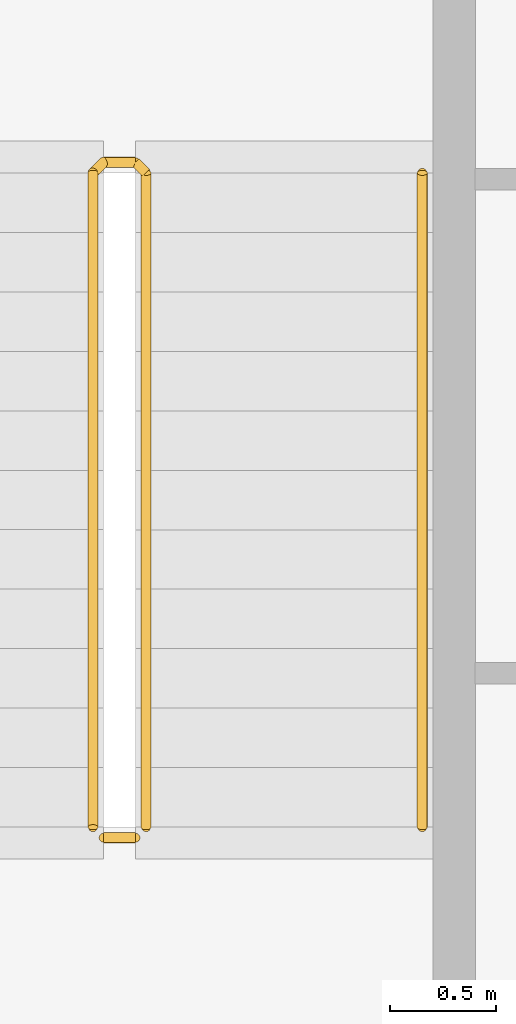
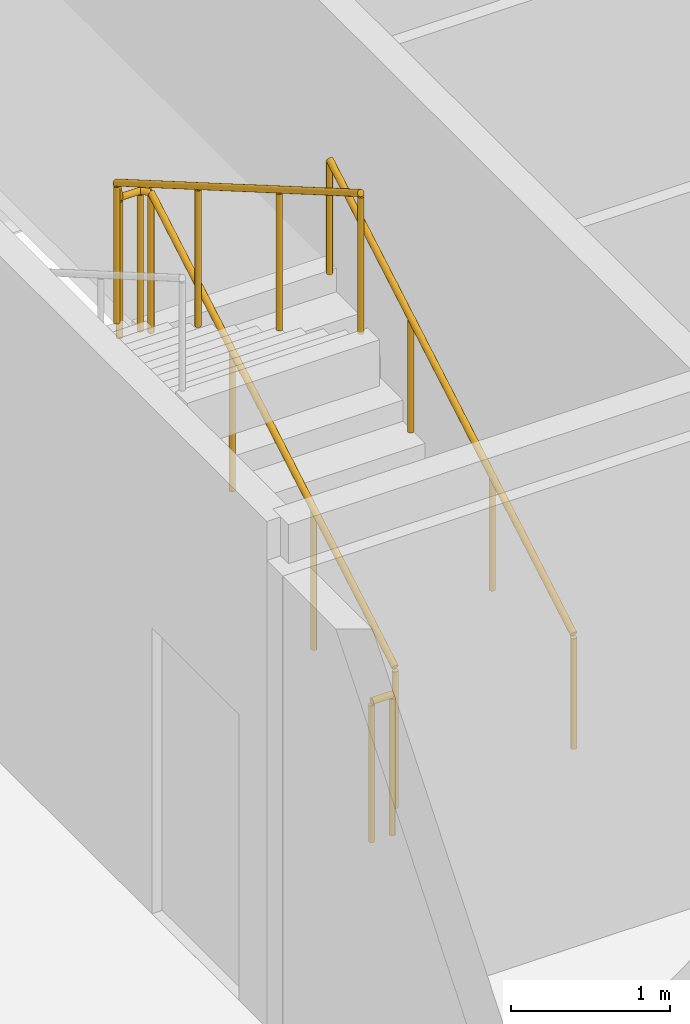
# One storey, part 27 of 28: 3 railings.
"""IFC4 building model written with IfcOpenShell, lengths in metres."""

from ifc_helpers import new_model, si_unit, direction, frame, origin, origin_2d, place, context, subcontext, project, spatial, circle, extrude, material, type_object, element, save


model = new_model("IFC4")

# Units and contexts
model_context = context("Model", 3, precision=1e-05, world=origin(), true_north=direction((0.0, 1.0)))
body_context = subcontext(model_context, "Body", "Model", "MODEL_VIEW")
ifc_project = project(units=[si_unit("LENGTHUNIT", "METRE"), si_unit("AREAUNIT", "SQUARE_METRE"), si_unit("VOLUMEUNIT", "CUBIC_METRE"), si_unit("PLANEANGLEUNIT", "RADIAN"), si_unit("MASSUNIT", "GRAM", prefix="KILO")], contexts=[model_context])

# Site, building, storey
site_placement = place(None, origin())
site = spatial("IfcSite", under=ifc_project, at=site_placement, CompositionType="ELEMENT")
building_placement = place(site_placement, origin())
building = spatial("IfcBuilding", under=site, at=building_placement, Name="Kheshtan School and Residences Tower", CompositionType="ELEMENT")
storey_placement = place(building_placement, frame((0.0, 0.0, 77.300048828125)))
storey = spatial("IfcBuildingStorey", under=building, at=storey_placement, Name="L18", CompositionType="ELEMENT", Elevation=77.300048828125)

# Railings
ifc_material_1 = material(Name="Stainless steel balustrade", Category="steel")
railing_type_1 = type_object("IfcRailingType", Name="Stair guard 1100", PredefinedType="GUARDRAIL", material=ifc_material_1)
railing_1_placement = place(storey_placement, frame((35.0, 80.89990234375, 0.162353515625)))
element("IfcRailing", 1, at=railing_1_placement, inside=storey, type_object=railing_type_1, Name="L18 ST3 stair guard 1", PredefinedType="GUARDRAIL", context=body_context, shape_type="SweptSolid", body=[
    extrude(circle(Radius=0.02392578125, at=origin_2d()), frame((0.0, 0.0, 1.076171875), z_axis=(0.0, 0.864890721111, 0.501960198159), x_axis=(-1.0, 0.0, 0.0)), (0.0, 0.0, 1.0), 3.561279296875),
    extrude(circle(Radius=0.02392578125, at=origin_2d()), frame((0.0, 3.080078125, 2.86376953125), z_axis=(-0.707106781187, 0.707106781187, 0.0), x_axis=(-0.707106781187, -0.707106781187, 0.0)), (0.0, 0.0, 1.0), 0.07080078125),
    extrude(circle(Radius=0.02392578125, at=origin_2d()), frame((-0.050048828125, 3.130126953125, 2.86376953125), z_axis=(-1.0, 0.0, 0.0), x_axis=(0.0, -1.0, 0.0)), (0.0, 0.0, 1.0), 0.14990234375),
    extrude(circle(Radius=0.02392578125, at=origin_2d()), frame((-0.199951171875, 3.130126953125, 2.86376953125), z_axis=(-0.282227285176, -0.282227285176, 0.916894497205), x_axis=(0.707106781187, -0.707106781187, 0.0)), (0.0, 0.0, 1.0), 0.17724609375),
    extrude(circle(Radius=0.02392578125, at=origin_2d()), frame((-0.25, 3.080078125, 3.0263671875), z_axis=(0.0, -0.864920483161, 0.501908913857), x_axis=(1.0, 0.0, 0.0)), (0.0, 0.0, 1.0), 3.56103515625),
    extrude(circle(Radius=0.02099609375, at=origin_2d()), origin(), (0.0, 0.0, 1.0), 1.052001953125),
    extrude(circle(Radius=0.02099609375, at=origin_2d()), frame((0.0, 1.026611328125, 0.595947265625)), (0.0, 0.0, 1.0), 1.052001953125),
    extrude(circle(Radius=0.02099609375, at=origin_2d()), frame((0.0, 2.053466796875, 1.191650390625)), (0.0, 0.0, 1.0), 1.052001953125),
    extrude(circle(Radius=0.02099609375, at=origin_2d()), frame((0.0, 3.080078125, 1.78759765625)), (0.0, 0.0, 1.0), 1.052001953125),
    extrude(circle(Radius=0.02099609375, at=origin_2d()), frame((-0.050048828125, 3.130126953125, 1.78759765625)), (0.0, 0.0, 1.0), 1.052001953125),
    extrude(circle(Radius=0.02099609375, at=origin_2d()), frame((-0.199951171875, 3.130126953125, 1.78759765625)), (0.0, 0.0, 1.0), 1.052001953125),
    extrude(circle(Radius=0.02099609375, at=origin_2d()), frame((-0.25, 3.080078125, 1.9501953125)), (0.0, 0.0, 1.0), 1.052001953125),
    extrude(circle(Radius=0.02099609375, at=origin_2d()), frame((-0.25, 2.053466796875, 2.5458984375)), (0.0, 0.0, 1.0), 1.052001953125),
    extrude(circle(Radius=0.02099609375, at=origin_2d()), frame((-0.25, 1.026611328125, 3.141845703125)), (0.0, 0.0, 1.0), 1.052001953125),
    extrude(circle(Radius=0.02099609375, at=origin_2d()), frame((-0.25, 0.0, 3.737548828125)), (0.0, 0.0, 1.0), 1.052001953125),
])
railing_2_placement = place(storey_placement, frame((34.949951171875, 80.85009765625, 0.0)))
element("IfcRailing", 2, at=railing_2_placement, inside=storey, type_object=railing_type_1, Name="L18 ST3 stair guard 2", PredefinedType="GUARDRAIL", context=body_context, shape_type="SweptSolid", body=[
    extrude(circle(Radius=0.02392578125, at=origin_2d()), frame((0.0, 0.0, 1.076171875), z_axis=(-1.0, 0.0, 0.0), x_axis=(0.0, -1.0, 0.0)), (0.0, 0.0, 1.0), 0.14990234375),
    extrude(circle(Radius=0.02099609375, at=origin_2d()), origin(), (0.0, 0.0, 1.0), 1.052001953125),
    extrude(circle(Radius=0.02099609375, at=origin_2d()), frame((-0.14990234375, 0.0, 0.0)), (0.0, 0.0, 1.0), 1.052001953125),
])
ifc_material_2 = material(Name="Stainless steel handrail", Category="steel")
railing_type_2 = type_object("IfcRailingType", Name="Stair handrail 900", PredefinedType="HANDRAIL", material=ifc_material_2)
railing_3_placement = place(storey_placement, frame((36.300048828125, 80.89990234375, 0.162353515625)))
element("IfcRailing", 3, at=railing_3_placement, inside=storey, type_object=railing_type_2, Name="L18 ST3 stair handrail 1", PredefinedType="HANDRAIL", context=body_context, shape_type="SweptSolid", body=[
    extrude(circle(Radius=0.02392578125, at=origin_2d()), frame((0.0, 0.0, 0.8759765625), z_axis=(0.0, 0.864890721111, 0.501960198159), x_axis=(-1.0, 0.0, 0.0)), (0.0, 0.0, 1.0), 3.561279296875),
    extrude(circle(Radius=0.02099609375, at=origin_2d()), origin(), (0.0, 0.0, 1.0), 0.851806640625),
    extrude(circle(Radius=0.02099609375, at=origin_2d()), frame((0.0, 1.026611328125, 0.595947265625)), (0.0, 0.0, 1.0), 0.851806640625),
    extrude(circle(Radius=0.02099609375, at=origin_2d()), frame((0.0, 2.053466796875, 1.191650390625)), (0.0, 0.0, 1.0), 0.851806640625),
    extrude(circle(Radius=0.02099609375, at=origin_2d()), frame((0.0, 3.080078125, 1.78759765625)), (0.0, 0.0, 1.0), 0.851806640625),
])

save(model, "model.ifc")
